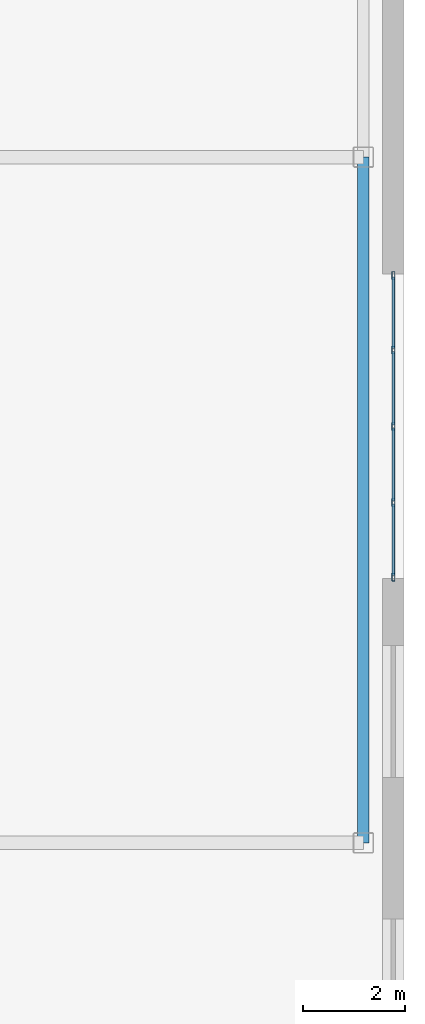
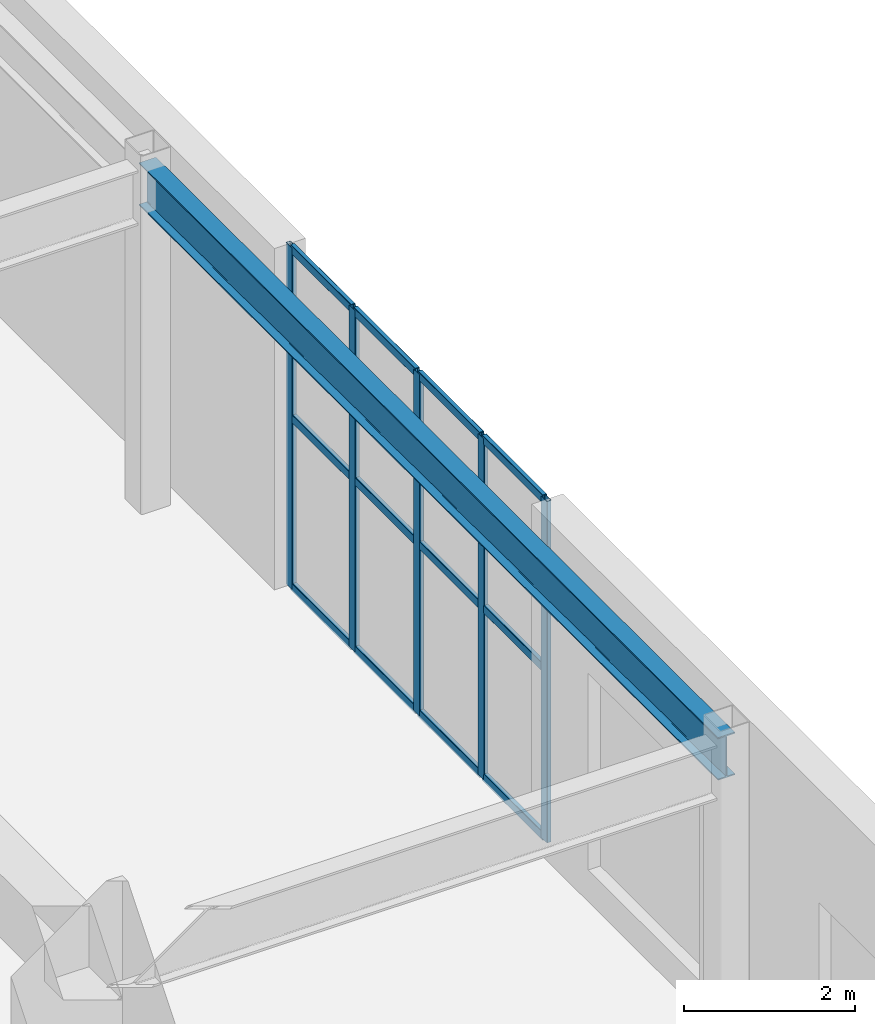
# One storey, part 15 of 23: 17 members, 1 beam, 1 element without a shape of its own.
"""IFC4 building model written with IfcOpenShell, lengths in metres."""

from ifc_helpers import new_model, entity, si_unit, converted_unit, direction, frame, origin_with_axes, origin_2d_with_axis, place, context, subcontext, project, spatial, hollow_rectangle, i_section, extrude, material, material_profile, profile_set, type_object, element, aggregate, save


model = new_model("IFC4")

# Units and contexts
model_context = context("Model", 3, precision=1e-05, world=origin_with_axes(), true_north=direction((0.0, 1.0)))
body_context = subcontext(model_context, "Body", "Model", "MODEL_VIEW")
ifc_project = project(units=[si_unit("LENGTHUNIT", "METRE"), si_unit("AREAUNIT", "SQUARE_METRE"), si_unit("VOLUMEUNIT", "CUBIC_METRE"), converted_unit("PLANEANGLEUNIT", "DEGREE", entity("IfcPlaneAngleMeasure", 0.017453292519943295), si_unit("PLANEANGLEUNIT", "RADIAN"), dimensions=[0, 0, 0, 0, 0, 0, 0]), si_unit("MASSUNIT", "GRAM", prefix="KILO"), si_unit("THERMODYNAMICTEMPERATUREUNIT", "KELVIN")], contexts=[model_context])

# Site, building, storey
site_placement = place(None, origin_with_axes())
site = spatial("IfcSite", under=ifc_project, at=site_placement, CompositionType="ELEMENT")
building_placement = place(site_placement, origin_with_axes())
building = spatial("IfcBuilding", under=site, at=building_placement, Name="Varnlund Millrace Tower", CompositionType="ELEMENT")
storey_placement = place(building_placement, frame((0.0, 0.0, 5.7), z_axis=(0.0, 0.0, 1.0), x_axis=(1.0, 0.0, 0.0)))
storey = spatial("IfcBuildingStorey", under=building, at=storey_placement, Name="L01", CompositionType="ELEMENT", Elevation=5.7)

# Beam
ifc_material_1 = material(Name="Steel ASTM A992 Grade 50", Category="steel")
ifc_material_profile_1 = material_profile(ifc_material_1, i_section(OverallWidth=0.228, OverallDepth=0.607, WebThickness=0.0112, FlangeThickness=0.0173, FilletRadius=0.015, at=origin_2d_with_axis()), Name="Steel ASTM A992 Grade 50")
ifc_profile_set_1 = profile_set([ifc_material_profile_1], Name="Steel ASTM A992 Grade 50")
beam_type = type_object("IfcBeamType", Name="Type-Beam-W24X76", PredefinedType="BEAM", material=ifc_profile_set_1)
beam_placement = place(storey_placement, frame((67.6, 10.8, 4.5565), z_axis=(0.0, 1.0, 0.0), x_axis=(-1.0, 0.0, 0.0)))
element("IfcBeam", 1, at=beam_placement, inside=storey, type_object=beam_type, Name="Type-Beam-W24X76", PredefinedType="BEAM", context=body_context, shape_type="SweptSolid", body=[
    extrude(i_section(OverallWidth=0.228, OverallDepth=0.607, WebThickness=0.0112, FlangeThickness=0.0173, FilletRadius=0.015, at=origin_2d_with_axis()), origin_with_axes(), (0.0, 0.0, 1.0), 13.5),
])

# Curtain wall, members
ifc_material_2 = material(Name="Thermally broken architectural bronze curtain wall", Category="aluminium")
curtain_wall_type = type_object("IfcCurtainWallType", Name="Type-CW-Sys2-Skyway", PredefinedType="NOTDEFINED", material=ifc_material_2)
curtain_wall_placement = place(storey_placement, frame((68.19, 22.0, 0.0), z_axis=(0.0, 0.0, 1.0), x_axis=(1.0, 0.0, 0.0)))
curtain_wall = element("IfcCurtainWall", 2, at=curtain_wall_placement, inside=storey, type_object=curtain_wall_type, Name="Type-CW-Sys2-Skyway", PredefinedType="NOTDEFINED")
ifc_material_3 = material(Name="Architectural bronze aluminium alloy 6063-T6", Category="aluminium")
ifc_material_profile_2 = material_profile(ifc_material_3, hollow_rectangle(XDim=0.06, YDim=0.15, WallThickness=0.004, InnerFilletRadius=0.004, OuterFilletRadius=0.008, at=origin_2d_with_axis()), Name="Architectural bronze aluminium alloy 6063-T6")
ifc_profile_set_2 = profile_set([ifc_material_profile_2], Name="Architectural bronze aluminium alloy 6063-T6")
member_type_1 = type_object("IfcMemberType", Name="Type-CW-Mullion-60X150", PredefinedType="MULLION", material=ifc_profile_set_2)
member_1_placement = place(storey_placement, frame((68.19, 21.97, 0.0), z_axis=(0.0, 0.0, 1.0), x_axis=(1.0, 0.0, 0.0)))
member_1 = element("IfcMember", 3, at=member_1_placement, type_object=member_type_1, Name="CW-02 mullion 1", PredefinedType="MULLION", context=body_context, shape_type="SweptSolid", body=[
    extrude(hollow_rectangle(XDim=0.06, YDim=0.15, WallThickness=0.004, InnerFilletRadius=0.004, OuterFilletRadius=0.008, at=origin_2d_with_axis()), origin_with_axes(), (0.0, 0.0, 1.0), 4.86),
])
member_2_placement = place(storey_placement, frame((68.19, 20.5, 0.0), z_axis=(0.0, 0.0, 1.0), x_axis=(1.0, 0.0, 0.0)))
member_2 = element("IfcMember", 4, at=member_2_placement, type_object=member_type_1, Name="CW-02 mullion 2", PredefinedType="MULLION", context=body_context, shape_type="SweptSolid", body=[
    extrude(hollow_rectangle(XDim=0.06, YDim=0.15, WallThickness=0.004, InnerFilletRadius=0.004, OuterFilletRadius=0.008, at=origin_2d_with_axis()), origin_with_axes(), (0.0, 0.0, 1.0), 4.86),
])
member_3_placement = place(storey_placement, frame((68.19, 19.0, 0.0), z_axis=(0.0, 0.0, 1.0), x_axis=(1.0, 0.0, 0.0)))
member_3 = element("IfcMember", 5, at=member_3_placement, type_object=member_type_1, Name="CW-02 mullion 3", PredefinedType="MULLION", context=body_context, shape_type="SweptSolid", body=[
    extrude(hollow_rectangle(XDim=0.06, YDim=0.15, WallThickness=0.004, InnerFilletRadius=0.004, OuterFilletRadius=0.008, at=origin_2d_with_axis()), origin_with_axes(), (0.0, 0.0, 1.0), 4.86),
])
member_4_placement = place(storey_placement, frame((68.19, 17.5, 0.0), z_axis=(0.0, 0.0, 1.0), x_axis=(1.0, 0.0, 0.0)))
member_4 = element("IfcMember", 6, at=member_4_placement, type_object=member_type_1, Name="CW-02 mullion 4", PredefinedType="MULLION", context=body_context, shape_type="SweptSolid", body=[
    extrude(hollow_rectangle(XDim=0.06, YDim=0.15, WallThickness=0.004, InnerFilletRadius=0.004, OuterFilletRadius=0.008, at=origin_2d_with_axis()), origin_with_axes(), (0.0, 0.0, 1.0), 4.86),
])
member_5_placement = place(storey_placement, frame((68.19, 16.03, 0.0), z_axis=(0.0, 0.0, 1.0), x_axis=(1.0, 0.0, 0.0)))
member_5 = element("IfcMember", 7, at=member_5_placement, type_object=member_type_1, Name="CW-02 mullion 5", PredefinedType="MULLION", context=body_context, shape_type="SweptSolid", body=[
    extrude(hollow_rectangle(XDim=0.06, YDim=0.15, WallThickness=0.004, InnerFilletRadius=0.004, OuterFilletRadius=0.008, at=origin_2d_with_axis()), origin_with_axes(), (0.0, 0.0, 1.0), 4.86),
])
ifc_material_profile_3 = material_profile(ifc_material_3, hollow_rectangle(XDim=0.06, YDim=0.12, WallThickness=0.004, InnerFilletRadius=0.004, OuterFilletRadius=0.008, at=origin_2d_with_axis()), Name="Architectural bronze aluminium alloy 6063-T6")
ifc_profile_set_3 = profile_set([ifc_material_profile_3], Name="Architectural bronze aluminium alloy 6063-T6")
member_type_2 = type_object("IfcMemberType", Name="Type-CW-Transom-60X120", PredefinedType="USERDEFINED", material=ifc_profile_set_3)
member_6_placement = place(storey_placement, frame((68.19, 21.94, 0.03), z_axis=(0.0, -1.0, 0.0), x_axis=(1.0, 0.0, 0.0)))
member_6 = element("IfcMember", 8, at=member_6_placement, type_object=member_type_2, Name="CW-02 transom 1.1", ObjectType="TRANSOM", PredefinedType="USERDEFINED", context=body_context, shape_type="SweptSolid", body=[
    extrude(hollow_rectangle(XDim=0.06, YDim=0.12, WallThickness=0.004, InnerFilletRadius=0.004, OuterFilletRadius=0.008, at=origin_2d_with_axis()), origin_with_axes(), (0.0, 0.0, 1.0), 1.41),
])
member_7_placement = place(storey_placement, frame((68.19, 21.94, 2.43), z_axis=(0.0, -1.0, 0.0), x_axis=(1.0, 0.0, 0.0)))
member_7 = element("IfcMember", 9, at=member_7_placement, type_object=member_type_2, Name="CW-02 transom 1.2", ObjectType="TRANSOM", PredefinedType="USERDEFINED", context=body_context, shape_type="SweptSolid", body=[
    extrude(hollow_rectangle(XDim=0.06, YDim=0.12, WallThickness=0.004, InnerFilletRadius=0.004, OuterFilletRadius=0.008, at=origin_2d_with_axis()), origin_with_axes(), (0.0, 0.0, 1.0), 1.41),
])
member_8_placement = place(storey_placement, frame((68.19, 21.94, 4.83), z_axis=(0.0, -1.0, 0.0), x_axis=(1.0, 0.0, 0.0)))
member_8 = element("IfcMember", 10, at=member_8_placement, type_object=member_type_2, Name="CW-02 transom 1.3", ObjectType="TRANSOM", PredefinedType="USERDEFINED", context=body_context, shape_type="SweptSolid", body=[
    extrude(hollow_rectangle(XDim=0.06, YDim=0.12, WallThickness=0.004, InnerFilletRadius=0.004, OuterFilletRadius=0.008, at=origin_2d_with_axis()), origin_with_axes(), (0.0, 0.0, 1.0), 1.41),
])
member_9_placement = place(storey_placement, frame((68.19, 20.47, 0.03), z_axis=(0.0, -1.0, 0.0), x_axis=(1.0, 0.0, 0.0)))
member_9 = element("IfcMember", 11, at=member_9_placement, type_object=member_type_2, Name="CW-02 transom 2.1", ObjectType="TRANSOM", PredefinedType="USERDEFINED", context=body_context, shape_type="SweptSolid", body=[
    extrude(hollow_rectangle(XDim=0.06, YDim=0.12, WallThickness=0.004, InnerFilletRadius=0.004, OuterFilletRadius=0.008, at=origin_2d_with_axis()), origin_with_axes(), (0.0, 0.0, 1.0), 1.44),
])
member_10_placement = place(storey_placement, frame((68.19, 20.47, 2.43), z_axis=(0.0, -1.0, 0.0), x_axis=(1.0, 0.0, 0.0)))
member_10 = element("IfcMember", 12, at=member_10_placement, type_object=member_type_2, Name="CW-02 transom 2.2", ObjectType="TRANSOM", PredefinedType="USERDEFINED", context=body_context, shape_type="SweptSolid", body=[
    extrude(hollow_rectangle(XDim=0.06, YDim=0.12, WallThickness=0.004, InnerFilletRadius=0.004, OuterFilletRadius=0.008, at=origin_2d_with_axis()), origin_with_axes(), (0.0, 0.0, 1.0), 1.44),
])
member_11_placement = place(storey_placement, frame((68.19, 20.47, 4.83), z_axis=(0.0, -1.0, 0.0), x_axis=(1.0, 0.0, 0.0)))
member_11 = element("IfcMember", 13, at=member_11_placement, type_object=member_type_2, Name="CW-02 transom 2.3", ObjectType="TRANSOM", PredefinedType="USERDEFINED", context=body_context, shape_type="SweptSolid", body=[
    extrude(hollow_rectangle(XDim=0.06, YDim=0.12, WallThickness=0.004, InnerFilletRadius=0.004, OuterFilletRadius=0.008, at=origin_2d_with_axis()), origin_with_axes(), (0.0, 0.0, 1.0), 1.44),
])
member_12_placement = place(storey_placement, frame((68.19, 18.97, 0.03), z_axis=(0.0, -1.0, 0.0), x_axis=(1.0, 0.0, 0.0)))
member_12 = element("IfcMember", 14, at=member_12_placement, type_object=member_type_2, Name="CW-02 transom 3.1", ObjectType="TRANSOM", PredefinedType="USERDEFINED", context=body_context, shape_type="SweptSolid", body=[
    extrude(hollow_rectangle(XDim=0.06, YDim=0.12, WallThickness=0.004, InnerFilletRadius=0.004, OuterFilletRadius=0.008, at=origin_2d_with_axis()), origin_with_axes(), (0.0, 0.0, 1.0), 1.44),
])
member_13_placement = place(storey_placement, frame((68.19, 18.97, 2.43), z_axis=(0.0, -1.0, 0.0), x_axis=(1.0, 0.0, 0.0)))
member_13 = element("IfcMember", 15, at=member_13_placement, type_object=member_type_2, Name="CW-02 transom 3.2", ObjectType="TRANSOM", PredefinedType="USERDEFINED", context=body_context, shape_type="SweptSolid", body=[
    extrude(hollow_rectangle(XDim=0.06, YDim=0.12, WallThickness=0.004, InnerFilletRadius=0.004, OuterFilletRadius=0.008, at=origin_2d_with_axis()), origin_with_axes(), (0.0, 0.0, 1.0), 1.44),
])
member_14_placement = place(storey_placement, frame((68.19, 18.97, 4.83), z_axis=(0.0, -1.0, 0.0), x_axis=(1.0, 0.0, 0.0)))
member_14 = element("IfcMember", 16, at=member_14_placement, type_object=member_type_2, Name="CW-02 transom 3.3", ObjectType="TRANSOM", PredefinedType="USERDEFINED", context=body_context, shape_type="SweptSolid", body=[
    extrude(hollow_rectangle(XDim=0.06, YDim=0.12, WallThickness=0.004, InnerFilletRadius=0.004, OuterFilletRadius=0.008, at=origin_2d_with_axis()), origin_with_axes(), (0.0, 0.0, 1.0), 1.44),
])
member_15_placement = place(storey_placement, frame((68.19, 17.47, 0.03), z_axis=(0.0, -1.0, 0.0), x_axis=(1.0, 0.0, 0.0)))
member_15 = element("IfcMember", 17, at=member_15_placement, type_object=member_type_2, Name="CW-02 transom 4.1", ObjectType="TRANSOM", PredefinedType="USERDEFINED", context=body_context, shape_type="SweptSolid", body=[
    extrude(hollow_rectangle(XDim=0.06, YDim=0.12, WallThickness=0.004, InnerFilletRadius=0.004, OuterFilletRadius=0.008, at=origin_2d_with_axis()), origin_with_axes(), (0.0, 0.0, 1.0), 1.41),
])
member_16_placement = place(storey_placement, frame((68.19, 17.47, 2.43), z_axis=(0.0, -1.0, 0.0), x_axis=(1.0, 0.0, 0.0)))
member_16 = element("IfcMember", 18, at=member_16_placement, type_object=member_type_2, Name="CW-02 transom 4.2", ObjectType="TRANSOM", PredefinedType="USERDEFINED", context=body_context, shape_type="SweptSolid", body=[
    extrude(hollow_rectangle(XDim=0.06, YDim=0.12, WallThickness=0.004, InnerFilletRadius=0.004, OuterFilletRadius=0.008, at=origin_2d_with_axis()), origin_with_axes(), (0.0, 0.0, 1.0), 1.41),
])
member_17_placement = place(storey_placement, frame((68.19, 17.47, 4.83), z_axis=(0.0, -1.0, 0.0), x_axis=(1.0, 0.0, 0.0)))
member_17 = element("IfcMember", 19, at=member_17_placement, type_object=member_type_2, Name="CW-02 transom 4.3", ObjectType="TRANSOM", PredefinedType="USERDEFINED", context=body_context, shape_type="SweptSolid", body=[
    extrude(hollow_rectangle(XDim=0.06, YDim=0.12, WallThickness=0.004, InnerFilletRadius=0.004, OuterFilletRadius=0.008, at=origin_2d_with_axis()), origin_with_axes(), (0.0, 0.0, 1.0), 1.41),
])
aggregate(curtain_wall, [member_1, member_2, member_3, member_4, member_5, member_6, member_7, member_8, member_9, member_10, member_11, member_12, member_13, member_14, member_15, member_16, member_17])

save(model, "model.ifc")
